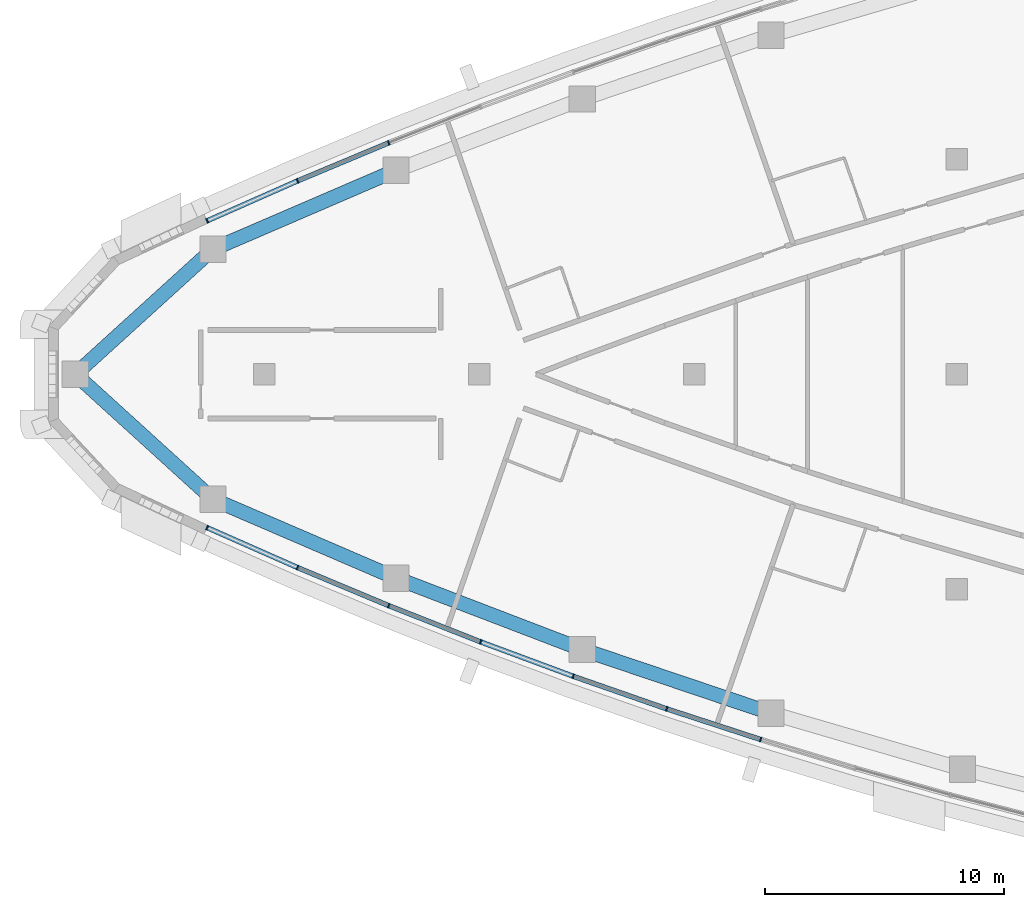
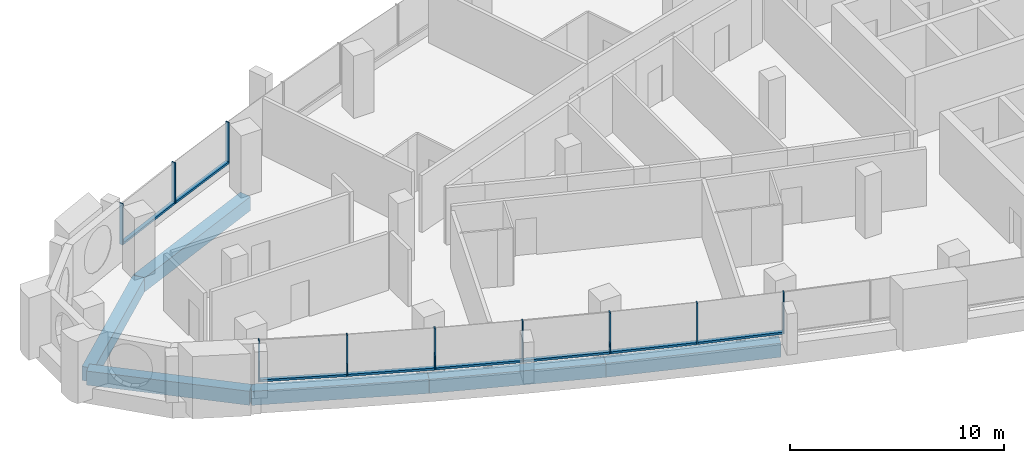
# One storey, part 2 of 14: 18 members, 6 beams, 5 elements without a shape of their own.
"""IFC4 building model written with IfcOpenShell, lengths in metres."""

import ifcopenshell
import ifcopenshell.guid

model = None  # the IFC model being written
_history = None  # IfcOwnerHistory: only IFC2X3 demands one
_inside = {}  # id of a spatial element -> (the spatial element, [elements in it])
_under = {}  # id of a project, library or spatial element -> (it, [spatial elements below it])
_declared = {}  # id of a project -> (the project, [libraries it declares])
_typed = {}  # id of a type object -> (the type object, [elements of that type])
_made_of = {}  # id of a material, layer set ... -> (it, [elements and type objects made of it])


def new_model(schema):
    """Start an empty IFC model of exactly this schema.

    Asked for "IFC4X3", IfcOpenShell would pick the latest addendum, in which some entities
    have other attributes; the version numbers below select the first issue.
    IFC2X3 requires an IfcOwnerHistory on every rooted entity: one is made here for all.
    """
    global model, _history
    if schema == "IFC4X3":
        model = ifcopenshell.file(schema_version=(4, 3, 0, 0))
    else:
        model = ifcopenshell.file(schema=schema)
    _inside.clear()
    _under.clear()
    _declared.clear()
    _typed.clear()
    _made_of.clear()
    _history = None
    if model.schema == "IFC2X3":
        org = make("IfcOrganization", Name="unknown")
        user = make(
            "IfcPersonAndOrganization",
            ThePerson=make("IfcPerson", FamilyName="unknown"),
            TheOrganization=org,
        )
        app = make(
            "IfcApplication",
            ApplicationDeveloper=org,
            Version="unknown",
            ApplicationFullName="unknown",
            ApplicationIdentifier="unknown",
        )
        _history = make(
            "IfcOwnerHistory",
            OwningUser=user,
            OwningApplication=app,
            ChangeAction="ADDED",
            CreationDate=0,
        )
    return model


def make(cls, **values):
    """One entity of the class cls with the attributes given. An attribute that is None is left unset."""
    return model.create_entity(
        cls, **{name: value for name, value in values.items() if value is not None}
    )


def rooted(cls, **values):
    """An entity with a GlobalId (a new one), such as an element, a storey or a relation."""
    return make(cls, GlobalId=ifcopenshell.guid.new(), OwnerHistory=_history, **values)


def si_unit(unit_type, name, prefix=None):
    """IfcSIUnit, for example si_unit("LENGTHUNIT", "METRE", prefix="MILLI")."""
    return make("IfcSIUnit", UnitType=unit_type, Prefix=prefix, Name=name)


def assignment(units):
    """IfcUnitAssignment: the units of a project."""
    return None if units is None else make("IfcUnitAssignment", Units=units)


def point(xyz):
    """IfcCartesianPoint."""
    return None if xyz is None else make("IfcCartesianPoint", Coordinates=xyz)


def direction(xyz):
    """IfcDirection."""
    return None if xyz is None else make("IfcDirection", DirectionRatios=xyz)


def frame(location, z_axis=None, x_axis=None):
    """IfcAxis2Placement3D, a coordinate frame: its origin and axes. An axis left out is left unset."""
    return make(
        "IfcAxis2Placement3D",
        Location=point(location),
        Axis=direction(z_axis),
        RefDirection=direction(x_axis),
    )


def frame_2d(location, x_axis=None):
    """IfcAxis2Placement2D, a coordinate frame in the plane: its origin and x axis."""
    return make(
        "IfcAxis2Placement2D", Location=point(location), RefDirection=direction(x_axis)
    )


def origin():
    """The frame at (0, 0, 0) with its axes left unset."""
    return frame((0.0, 0.0, 0.0))


def origin_2d():
    """The frame at (0, 0) in the plane with its x axis left unset."""
    return frame_2d((0.0, 0.0))


def place(relative_to, where):
    """IfcLocalPlacement: puts the frame where relative to a parent placement (None: the world)."""
    return make(
        "IfcLocalPlacement", PlacementRelTo=relative_to, RelativePlacement=where
    )


def context(
    kind, dimensions, precision=None, world=None, true_north=None, identifier=None
):
    """IfcGeometricRepresentationContext, for example the 3D "Model" context."""
    return make(
        "IfcGeometricRepresentationContext",
        ContextIdentifier=identifier,
        ContextType=kind,
        CoordinateSpaceDimension=dimensions,
        Precision=precision,
        WorldCoordinateSystem=world,
        TrueNorth=true_north,
    )


def subcontext(parent, identifier, kind, view, scale=None):
    """IfcGeometricRepresentationSubContext, for example "Body" below "Model"."""
    return make(
        "IfcGeometricRepresentationSubContext",
        ContextIdentifier=identifier,
        ContextType=kind,
        ParentContext=parent,
        TargetScale=scale,
        TargetView=view,
    )


def project(units=None, contexts=None):
    """IfcProject with its units and contexts."""
    return rooted(
        "IfcProject",
        Name="project",
        RepresentationContexts=contexts,
        UnitsInContext=assignment(units),
    )


def spatial(cls, under=None, at=None, **own):
    """A site, building, storey or space (cls), placed at a placement, below another one or the project."""
    s = rooted(cls, ObjectPlacement=at, **own)
    if under is not None:
        _under.setdefault(under.id(), (under, []))[1].append(s)
    return s


def profile(cls, at=None, kind="AREA", **sizes):
    """A parametric profile (cls). Its sizes go by their IFC names, for example OverallWidth=200.0."""
    return make(cls, ProfileType=kind, Position=at, **sizes)


def rectangle(**sizes):
    """IfcRectangleProfileDef."""
    return profile("IfcRectangleProfileDef", **sizes)


def extrude(swept, where, along, depth):
    """IfcExtrudedAreaSolid: the profile swept, set in the frame where, extruded along a direction by depth."""
    return make(
        "IfcExtrudedAreaSolid",
        SweptArea=swept,
        Position=where,
        ExtrudedDirection=direction(along),
        Depth=depth,
    )


def shape(context_of_items, identifier, shape_type, items):
    """IfcShapeRepresentation: the items that make up one representation, for example the "Body"."""
    return make(
        "IfcShapeRepresentation",
        ContextOfItems=context_of_items,
        RepresentationIdentifier=identifier,
        RepresentationType=shape_type,
        Items=items,
    )


def material(Name=None, Category=None):
    """IfcMaterial."""
    return make("IfcMaterial", Name=Name, Category=Category)


def layer(
    of_material, thickness, ventilated=None, Name=None, Category=None, Priority=None
):
    """IfcMaterialLayer: one layer of a wall or slab, of a material (None: an air gap)."""
    return make(
        "IfcMaterialLayer",
        Material=of_material,
        LayerThickness=thickness,
        IsVentilated=ventilated,
        Name=Name,
        Category=Category,
        Priority=Priority,
    )


def layer_set(layers, Name=None):
    """IfcMaterialLayerSet."""
    return make("IfcMaterialLayerSet", MaterialLayers=layers, LayerSetName=Name)


def material_profile(
    of_material, cross_section, Name=None, Category=None, Priority=None
):
    """IfcMaterialProfile: a cross section and its material."""
    return make(
        "IfcMaterialProfile",
        Name=Name,
        Material=of_material,
        Profile=cross_section,
        Priority=Priority,
        Category=Category,
    )


def profile_set(profiles, Name=None, composite=None):
    """IfcMaterialProfileSet."""
    return make(
        "IfcMaterialProfileSet",
        Name=Name,
        MaterialProfiles=profiles,
        CompositeProfile=composite,
    )


def made_of(thing, what):
    """Note that an element or type object is made of a material, layer set ...; save() writes the relation."""
    if what is not None:
        _made_of.setdefault(what.id(), (what, []))[1].append(thing)
    return thing


def type_object(cls, material=None, **own):
    """A type object (cls), such as IfcWallType, which elements share."""
    return made_of(rooted(cls, **own), material)


def element(
    cls,
    number,
    at=None,
    inside=None,
    cuts=None,
    type_object=None,
    material=None,
    context=None,
    identifier="Body",
    shape_type=None,
    held_by="IfcProductDefinitionShape",
    body=None,
    shapes=None,
    **own,
):
    """One element of the class cls, such as IfcWall. Its Tag is "e" and its number.

    at: its placement. inside: the storey or other place that contains it. cuts: it is an
    opening in that element (IfcRelVoidsElement). A single representation is given by context,
    identifier, shape_type and body (its items); several are given by shapes. held_by: the class
    of the entity that holds the representations. save() writes the other relations.
    """
    e = rooted(cls, Tag="e%d" % number, ObjectPlacement=at, **own)
    if body is not None:
        shapes = [shape(context, identifier, shape_type, body)]
    if shapes is not None:
        e.Representation = make(held_by, Representations=shapes)
    if inside is not None:
        _inside.setdefault(inside.id(), (inside, []))[1].append(e)
    if cuts is not None:
        rooted(
            "IfcRelVoidsElement", RelatingBuildingElement=cuts, RelatedOpeningElement=e
        )
    if type_object is not None:
        _typed.setdefault(type_object.id(), (type_object, []))[1].append(e)
    return made_of(e, material)


def aggregate(whole, parts):
    """IfcRelAggregates: a whole, such as a stair, and the parts it consists of."""
    return rooted("IfcRelAggregates", RelatingObject=whole, RelatedObjects=parts)


def save(model, path):
    """Write the relations noted so far, then the file.

    IfcRelAggregates (storeys below a building ...), IfcRelContainedInSpatialStructure (elements
    in a storey), IfcRelDefinesByType, IfcRelAssociatesMaterial and IfcRelDeclares: one each for
    every whole, place, type object, material and project.
    """
    for whole, parts in _under.values():
        aggregate(whole, parts)
    for where, things in _inside.values():
        rooted(
            "IfcRelContainedInSpatialStructure",
            RelatedElements=things,
            RelatingStructure=where,
        )
    for kind, things in _typed.values():
        rooted("IfcRelDefinesByType", RelatedObjects=things, RelatingType=kind)
    for what, things in _made_of.values():
        rooted("IfcRelAssociatesMaterial", RelatedObjects=things, RelatingMaterial=what)
    for by, libraries in _declared.values():
        rooted("IfcRelDeclares", RelatingContext=by, RelatedDefinitions=libraries)
    model.write(path)


model = new_model("IFC4")

# Units and contexts
model_context = context("Model", 3, precision=1e-05, world=origin(), true_north=direction((0.0, 1.0)))
body_context = subcontext(model_context, "Body", "Model", "MODEL_VIEW")
ifc_project = project(units=[si_unit("LENGTHUNIT", "METRE"), si_unit("AREAUNIT", "SQUARE_METRE"), si_unit("VOLUMEUNIT", "CUBIC_METRE"), si_unit("PLANEANGLEUNIT", "RADIAN"), si_unit("MASSUNIT", "GRAM", prefix="KILO")], contexts=[model_context])

# Site, building, storey
site_placement = place(None, origin())
site = spatial("IfcSite", under=ifc_project, at=site_placement, CompositionType="ELEMENT")
building_placement = place(site_placement, origin())
building = spatial("IfcBuilding", under=site, at=building_placement, Name="Ostrand Prow Hotel Tower", CompositionType="ELEMENT")
storey_placement = place(building_placement, frame((0.0, 0.0, 278.550048828125)))
storey = spatial("IfcBuildingStorey", under=building, at=storey_placement, Name="L70", CompositionType="ELEMENT", Elevation=278.550048828125)

# Beams
ifc_material_1 = material(Name="Concrete C50/60", Category="concrete")
ifc_material_profile_1 = material_profile(ifc_material_1, rectangle(XDim=0.60009765625, YDim=0.800048828125, at=origin_2d()), Name="RC 600x800")
ifc_profile_set_1 = profile_set([ifc_material_profile_1], Name="Concrete C50/60")
beam_type = type_object("IfcBeamType", Name="Edge beam 600x800 C50/60", PredefinedType="SPANDREL", material=ifc_profile_set_1)
beam_1_placement = place(storey_placement, frame((8.082763671875, 0.0, -0.699951171875), z_axis=(0.740124460758, -0.672469912032, 0.0), x_axis=(0.672469912032, 0.740124460758, 0.0)))
element("IfcBeam", 1, at=beam_1_placement, inside=storey, type_object=beam_type, Name="Edge beam P-S1", PredefinedType="SPANDREL", context=body_context, shape_type="SweptSolid", body=[
    extrude(rectangle(XDim=0.60009765625, YDim=0.800048828125, at=origin_2d()), origin(), (0.0, 0.0, 1.0), 7.787353515625),
])
for number, where, z_axis, x_axis, name in (
    (2, (13.846435546875, -5.23681640625, -0.699951171875), (0.918403788687, -0.39564438695, 0.0), (0.39564438695, 0.918403788687, 0.0), "Edge beam S1-S2"),
    (3, (21.51416015625, -8.5400390625, -0.699951171875), (0.933761753797, -0.357895218111, 0.0), (0.357895218111, 0.933761753797, 0.0), "Edge beam S2-S3"),
    (4, (29.31005859375, -11.528076171875, -0.699951171875), (0.947575089419, -0.319533174981, 0.0), (0.319533174981, 0.947575089419, 0.0), "Edge beam S3-S4"),
    (5, (21.51416015625, 8.5400390625, -0.699951171875), (-0.918403788687, -0.39564438695, 0.0), (0.39564438695, -0.918403788687, 0.0), "Edge beam N5-N6"),
):
    element("IfcBeam", number, at=place(storey_placement, frame(where, z_axis=z_axis, x_axis=x_axis)), inside=storey, type_object=beam_type, Name=name, PredefinedType="SPANDREL", context=body_context, shape_type="SweptSolid", body=[
        extrude(rectangle(XDim=0.60009765625, YDim=0.800048828125, at=origin_2d()), origin(), (0.0, 0.0, 1.0), 8.348876953125),
    ])
beam_2_placement = place(storey_placement, frame((13.846435546875, 5.23681640625, -0.699951171875), z_axis=(-0.740124460758, -0.672469912032, 0.0), x_axis=(0.672469912032, -0.740124460758, 0.0)))
element("IfcBeam", 6, at=beam_2_placement, inside=storey, type_object=beam_type, Name="Edge beam N6-P", PredefinedType="SPANDREL", context=body_context, shape_type="SweptSolid", body=[
    extrude(rectangle(XDim=0.60009765625, YDim=0.800048828125, at=origin_2d()), origin(), (0.0, 0.0, 1.0), 7.787353515625),
])

# Curtain wall, members
ifc_material_2 = material(Name="Insulated glass in bronze anodised frame", Category="glass")
ifc_layer = layer(ifc_material_2, 0.199951171875)
ifc_layer_set = layer_set([ifc_layer], Name="Insulated glass in bronze anodised frame")
curtain_wall_type = type_object("IfcCurtainWallType", Name="Strip curtain wall, fritted glass over bronze spandrel", PredefinedType="NOTDEFINED", material=ifc_layer_set)
curtain_wall_1_placement = place(storey_placement, origin())
curtain_wall_1 = element("IfcCurtainWall", 7, at=curtain_wall_1_placement, inside=storey, type_object=curtain_wall_type, Name="CW1 run CWS1", PredefinedType="NOTDEFINED")
ifc_material_3 = material(Name="Bronze anodised aluminium", Category="aluminium")
ifc_material_profile_2 = material_profile(ifc_material_3, rectangle(XDim=0.199951171875, YDim=0.06005859375, at=origin_2d()), Name="Mullion 60x200 bronze anodised aluminium")
ifc_profile_set_2 = profile_set([ifc_material_profile_2], Name="Bronze anodised aluminium")
member_type_1 = type_object("IfcMemberType", Name="Mullion 60x200 bronze anodised aluminium", PredefinedType="MULLION", material=ifc_profile_set_2)
member_1_placement = place(storey_placement, frame((13.60009765625, -6.423583984375, 0.89990234375), z_axis=(0.0, 0.0, 1.0), x_axis=(0.403939694592, 0.914785615941, 0.0)))
member_1 = element("IfcMember", 8, at=member_1_placement, type_object=member_type_1, Name="CW1 mullion 1", PredefinedType="MULLION", context=body_context, shape_type="SweptSolid", body=[
    extrude(rectangle(XDim=0.199951171875, YDim=0.06005859375, at=origin_2d()), origin(), (0.0, 0.0, 1.0), 2.35009765625),
])
member_2_placement = place(storey_placement, frame((17.386962890625, -8.095947265625, 0.89990234375), z_axis=(0.0, 0.0, 1.0), x_axis=(0.385471263659, 0.922719840955, 0.0)))
member_2 = element("IfcMember", 9, at=member_2_placement, type_object=member_type_1, Name="CW1 mullion 2", PredefinedType="MULLION", context=body_context, shape_type="SweptSolid", body=[
    extrude(rectangle(XDim=0.199951171875, YDim=0.06005859375, at=origin_2d()), origin(), (0.0, 0.0, 1.0), 2.35009765625),
])
member_3_placement = place(storey_placement, frame((21.206787109375, -9.691650390625, 0.89990234375), z_axis=(0.0, 0.0, 1.0), x_axis=(0.385471263659, 0.922719840955, 0.0)))
member_3 = element("IfcMember", 10, at=member_3_placement, type_object=member_type_1, Name="CW1 mullion 3", PredefinedType="MULLION", context=body_context, shape_type="SweptSolid", body=[
    extrude(rectangle(XDim=0.199951171875, YDim=0.06005859375, at=origin_2d()), origin(), (0.0, 0.0, 1.0), 2.35009765625),
])

curtain_wall_2_placement = place(storey_placement, origin())
curtain_wall_2 = element("IfcCurtainWall", 11, at=curtain_wall_2_placement, inside=storey, type_object=curtain_wall_type, Name="CW1 run CWS2", PredefinedType="NOTDEFINED")
member_4_placement = place(storey_placement, frame((25.05810546875, -11.210205078125, 0.89990234375), z_axis=(0.0, 0.0, 1.0), x_axis=(0.348071422738, 0.937468017947, 0.0)))
member_4 = element("IfcMember", 12, at=member_4_placement, type_object=member_type_1, Name="CW1 mullion 2", PredefinedType="MULLION", context=body_context, shape_type="SweptSolid", body=[
    extrude(rectangle(XDim=0.199951171875, YDim=0.06005859375, at=origin_2d()), origin(), (0.0, 0.0, 1.0), 2.35009765625),
])
member_5_placement = place(storey_placement, frame((28.93896484375, -12.6513671875, 0.89990234375), z_axis=(0.0, 0.0, 1.0), x_axis=(0.348071422738, 0.937468017947, 0.0)))
member_5 = element("IfcMember", 13, at=member_5_placement, type_object=member_type_1, Name="CW1 mullion 3", PredefinedType="MULLION", context=body_context, shape_type="SweptSolid", body=[
    extrude(rectangle(XDim=0.199951171875, YDim=0.06005859375, at=origin_2d()), origin(), (0.0, 0.0, 1.0), 2.35009765625),
])

curtain_wall_3_placement = place(storey_placement, origin())
curtain_wall_3 = element("IfcCurtainWall", 14, at=curtain_wall_3_placement, inside=storey, type_object=curtain_wall_type, Name="CW1 run CWS3", PredefinedType="NOTDEFINED")
member_6_placement = place(storey_placement, frame((32.84814453125, -14.013916015625, 0.89990234375), z_axis=(0.0, 0.0, 1.0), x_axis=(0.310110668289, 0.950700464612, 0.0)))
member_6 = element("IfcMember", 15, at=member_6_placement, type_object=member_type_1, Name="CW1 mullion 2", PredefinedType="MULLION", context=body_context, shape_type="SweptSolid", body=[
    extrude(rectangle(XDim=0.199951171875, YDim=0.06005859375, at=origin_2d()), origin(), (0.0, 0.0, 1.0), 2.35009765625),
])
member_7_placement = place(storey_placement, frame((36.78369140625, -15.297607421875, 0.89990234375), z_axis=(0.0, 0.0, 1.0), x_axis=(0.310110668289, 0.950700464612, 0.0)))
member_7 = element("IfcMember", 16, at=member_7_placement, type_object=member_type_1, Name="CW1 mullion 3", PredefinedType="MULLION", context=body_context, shape_type="SweptSolid", body=[
    extrude(rectangle(XDim=0.199951171875, YDim=0.06005859375, at=origin_2d()), origin(), (0.0, 0.0, 1.0), 2.35009765625),
])

# Curtain wall, member
curtain_wall_4_placement = place(storey_placement, origin())
curtain_wall_4 = element("IfcCurtainWall", 17, at=curtain_wall_4_placement, inside=storey, type_object=curtain_wall_type, Name="CW1 run CWN4", PredefinedType="NOTDEFINED")
member_8_placement = place(storey_placement, frame((21.206787109375, 9.691650390625, 0.89990234375), z_axis=(0.0, 0.0, 1.0), x_axis=(0.366845465248, -0.930281895249, 0.0)))
member_8 = element("IfcMember", 18, at=member_8_placement, type_object=member_type_1, Name="CW1 mullion 3", PredefinedType="MULLION", context=body_context, shape_type="SweptSolid", body=[
    extrude(rectangle(XDim=0.199951171875, YDim=0.06005859375, at=origin_2d()), origin(), (0.0, 0.0, 1.0), 2.35009765625),
])
aggregate(curtain_wall_4, [member_8])

# Curtain wall, members
curtain_wall_5_placement = place(storey_placement, origin())
curtain_wall_5 = element("IfcCurtainWall", 19, at=curtain_wall_5_placement, inside=storey, type_object=curtain_wall_type, Name="CW1 run CWN5", PredefinedType="NOTDEFINED")
member_9_placement = place(storey_placement, frame((17.386962890625, 8.095947265625, 0.89990234375), z_axis=(0.0, 0.0, 1.0), x_axis=(0.403939694592, -0.914785615941, 0.0)))
member_9 = element("IfcMember", 20, at=member_9_placement, type_object=member_type_1, Name="CW1 mullion 2", PredefinedType="MULLION", context=body_context, shape_type="SweptSolid", body=[
    extrude(rectangle(XDim=0.199951171875, YDim=0.06005859375, at=origin_2d()), origin(), (0.0, 0.0, 1.0), 2.35009765625),
])
member_10_placement = place(storey_placement, frame((13.60009765625, 6.423583984375, 0.89990234375), z_axis=(0.0, 0.0, 1.0), x_axis=(0.403939694592, -0.914785615941, 0.0)))
member_10 = element("IfcMember", 21, at=member_10_placement, type_object=member_type_1, Name="CW1 mullion 3", PredefinedType="MULLION", context=body_context, shape_type="SweptSolid", body=[
    extrude(rectangle(XDim=0.199951171875, YDim=0.06005859375, at=origin_2d()), origin(), (0.0, 0.0, 1.0), 2.35009765625),
])

# Member
ifc_material_4 = material(Name="Bronze anodised aluminium", Category="aluminium")
ifc_material_profile_3 = material_profile(ifc_material_4, rectangle(XDim=0.199951171875, YDim=0.1201171875, at=origin_2d()), Name="Transom 120x200 bronze anodised aluminium")
ifc_profile_set_3 = profile_set([ifc_material_profile_3], Name="Bronze anodised aluminium")
member_type_2 = type_object("IfcMemberType", Name="Transom 120x200 bronze anodised aluminium", PredefinedType="USERDEFINED", material=ifc_profile_set_3)
member_11_placement = place(storey_placement, frame((13.62744140625, -6.435791015625, 0.9599609375), z_axis=(0.914791011182, -0.403927475991, 0.0), x_axis=(0.403927475991, 0.914791011182, 0.0)))
member_11 = element("IfcMember", 22, at=member_11_placement, type_object=member_type_2, Name="CW1 transom 1.1", ObjectType="TRANSOM", PredefinedType="USERDEFINED", context=body_context, shape_type="SweptSolid", body=[
    extrude(rectangle(XDim=0.199951171875, YDim=0.1201171875, at=origin_2d()), origin(), (0.0, 0.0, 1.0), 4.079833984375),
])

member_12_placement = place(storey_placement, frame((17.414794921875, -8.107421875, 0.9599609375), z_axis=(0.922706465875, -0.385503278628, 0.0), x_axis=(0.385503278628, 0.922706465875, 0.0)))
member_12 = element("IfcMember", 23, at=member_12_placement, type_object=member_type_2, Name="CW1 transom 2.1", ObjectType="TRANSOM", PredefinedType="USERDEFINED", context=body_context, shape_type="SweptSolid", body=[
    extrude(rectangle(XDim=0.199951171875, YDim=0.1201171875, at=origin_2d()), origin(), (0.0, 0.0, 1.0), 4.079833984375),
])

aggregate(curtain_wall_1, [member_1, member_2, member_3, member_11, member_12])

member_13_placement = place(storey_placement, frame((21.23486328125, -9.70263671875, 0.9599609375), z_axis=(0.930289613186, -0.366825892759, 0.0), x_axis=(0.366825892759, 0.930289613186, 0.0)))
member_13 = element("IfcMember", 24, at=member_13_placement, type_object=member_type_2, Name="CW1 transom 1.1", ObjectType="TRANSOM", PredefinedType="USERDEFINED", context=body_context, shape_type="SweptSolid", body=[
    extrude(rectangle(XDim=0.199951171875, YDim=0.1201171875, at=origin_2d()), origin(), (0.0, 0.0, 1.0), 4.079833984375),
])

member_14_placement = place(storey_placement, frame((25.086181640625, -11.220703125, 0.9599609375), z_axis=(0.937460424566, -0.348091873465, 0.0), x_axis=(0.348091873465, 0.937460424566, 0.0)))
member_14 = element("IfcMember", 25, at=member_14_placement, type_object=member_type_2, Name="CW1 transom 2.1", ObjectType="TRANSOM", PredefinedType="USERDEFINED", context=body_context, shape_type="SweptSolid", body=[
    extrude(rectangle(XDim=0.199951171875, YDim=0.1201171875, at=origin_2d()), origin(), (0.0, 0.0, 1.0), 4.079833984375),
])

aggregate(curtain_wall_2, [member_4, member_5, member_13, member_14])

member_15_placement = place(storey_placement, frame((28.96728515625, -12.6611328125, 0.9599609375), z_axis=(0.944268108385, -0.329177367822, 0.0), x_axis=(0.329177367822, 0.944268108385, 0.0)))
member_15 = element("IfcMember", 26, at=member_15_placement, type_object=member_type_2, Name="CW1 transom 1.1", ObjectType="TRANSOM", PredefinedType="USERDEFINED", context=body_context, shape_type="SweptSolid", body=[
    extrude(rectangle(XDim=0.199951171875, YDim=0.1201171875, at=origin_2d()), origin(), (0.0, 0.0, 1.0), 4.079833984375),
])

member_16_placement = place(storey_placement, frame((32.876708984375, -14.023193359375, 0.9599609375), z_axis=(0.950704145978, -0.310099382165, 0.0), x_axis=(0.310099382165, 0.950704145978, 0.0)))
member_16 = element("IfcMember", 27, at=member_16_placement, type_object=member_type_2, Name="CW1 transom 2.1", ObjectType="TRANSOM", PredefinedType="USERDEFINED", context=body_context, shape_type="SweptSolid", body=[
    extrude(rectangle(XDim=0.199951171875, YDim=0.1201171875, at=origin_2d()), origin(), (0.0, 0.0, 1.0), 4.079833984375),
])

aggregate(curtain_wall_3, [member_6, member_7, member_15, member_16])

member_17_placement = place(storey_placement, frame((21.17919921875, 9.68017578125, 0.9599609375), z_axis=(-0.922706465875, -0.385503278628, 0.0), x_axis=(0.385503278628, -0.922706465875, 0.0)))
member_17 = element("IfcMember", 28, at=member_17_placement, type_object=member_type_2, Name="CW1 transom 1.1", ObjectType="TRANSOM", PredefinedType="USERDEFINED", context=body_context, shape_type="SweptSolid", body=[
    extrude(rectangle(XDim=0.199951171875, YDim=0.1201171875, at=origin_2d()), origin(), (0.0, 0.0, 1.0), 4.079833984375),
])

member_18_placement = place(storey_placement, frame((17.359619140625, 8.083740234375, 0.9599609375), z_axis=(-0.914791011182, -0.403927475991, 0.0), x_axis=(0.403927475991, -0.914791011182, 0.0)))
member_18 = element("IfcMember", 29, at=member_18_placement, type_object=member_type_2, Name="CW1 transom 2.1", ObjectType="TRANSOM", PredefinedType="USERDEFINED", context=body_context, shape_type="SweptSolid", body=[
    extrude(rectangle(XDim=0.199951171875, YDim=0.1201171875, at=origin_2d()), origin(), (0.0, 0.0, 1.0), 4.079833984375),
])

aggregate(curtain_wall_5, [member_9, member_10, member_17, member_18])

save(model, "model.ifc")
